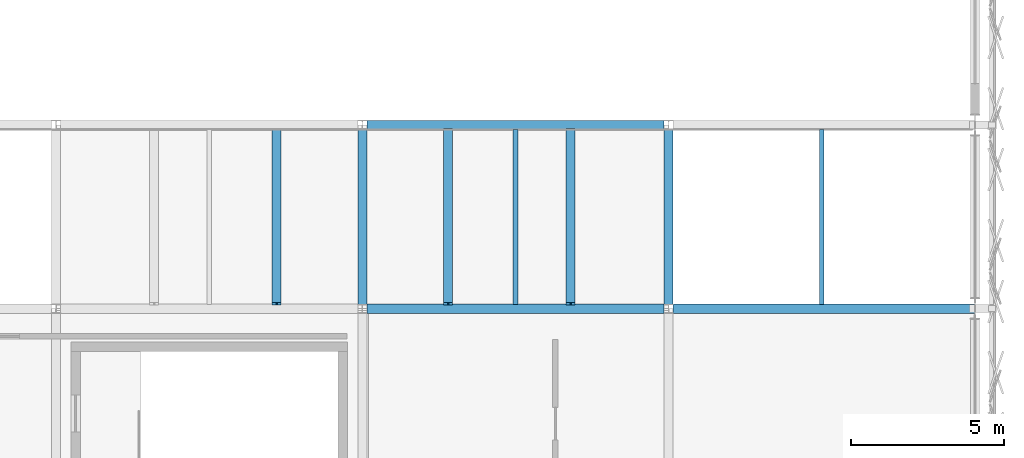
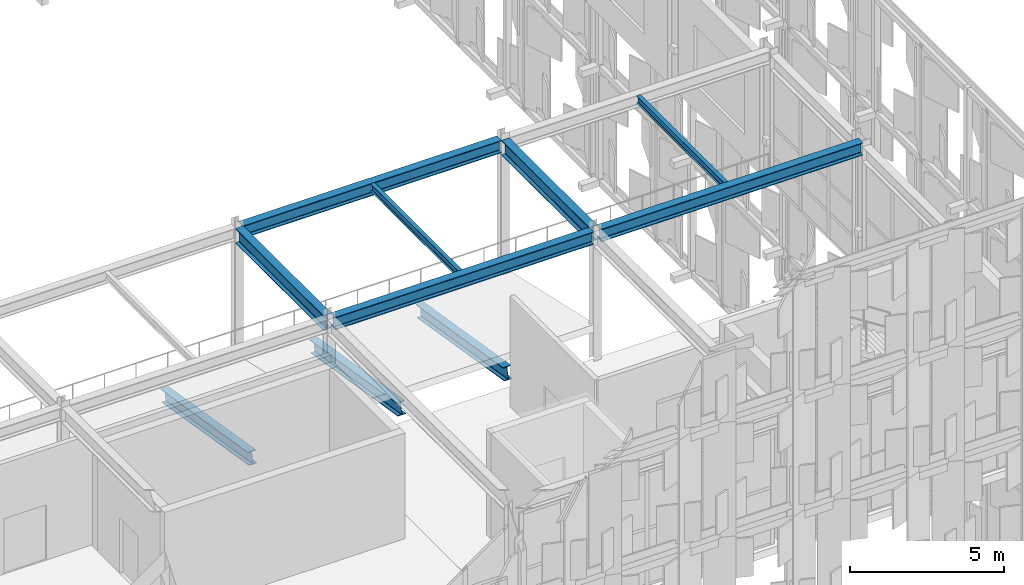
# One storey, part 164 of 239: 10 beams.
"""IFC4 building model written with IfcOpenShell, lengths in metres."""

from ifc_helpers import new_model, si_unit, direction, frame, origin, origin_2d, place, context, subcontext, project, spatial, i_section, extrude, material, material_profile, profile_set, type_object, element, save


model = new_model("IFC4")

# Units and contexts
model_context = context("Model", 3, precision=1e-05, world=origin(), true_north=direction((0.0, 1.0)))
body_context = subcontext(model_context, "Body", "Model", "MODEL_VIEW")
ifc_project = project(units=[si_unit("LENGTHUNIT", "METRE"), si_unit("AREAUNIT", "SQUARE_METRE"), si_unit("VOLUMEUNIT", "CUBIC_METRE"), si_unit("PLANEANGLEUNIT", "RADIAN"), si_unit("MASSUNIT", "GRAM", prefix="KILO")], contexts=[model_context])

# Site, building, storey
site_placement = place(None, origin())
site = spatial("IfcSite", under=ifc_project, at=site_placement, CompositionType="ELEMENT")
building_placement = place(site_placement, origin())
building = spatial("IfcBuilding", under=site, at=building_placement, Name="Kaldris Quays Convention Centre", CompositionType="ELEMENT")
storey_placement = place(building_placement, frame((0.0, 0.0, 11.39990234375)))
storey = spatial("IfcBuildingStorey", under=building, at=storey_placement, Name="L02", CompositionType="ELEMENT", Elevation=11.39990234375)

# Beams
ifc_material = material(Name="Steel S355J2", Category="steel")
ifc_material_profile_1 = material_profile(ifc_material, i_section(OverallWidth=0.300048828125, OverallDepth=0.5, WebThickness=0.014404296875, FlangeThickness=0.028076171875, FilletRadius=0.027099609375, at=origin_2d()), Name="HEB 500")
ifc_profile_set_1 = profile_set([ifc_material_profile_1], Name="Steel S355J2")
beam_type_1 = type_object("IfcBeamType", Name="STRUCTURAL BEAM BM06", PredefinedType="BEAM", material=ifc_profile_set_1)
beam_1_placement = place(storey_placement, frame((184.14404296875, 68.0, 4.9130859375), z_axis=(1.0, 0.0, 0.0), x_axis=(0.0, 1.0, 0.0)))
element("IfcBeam", 1, at=beam_1_placement, inside=storey, type_object=beam_type_1, Name="L02 Girder BM06 7", PredefinedType="BEAM", context=body_context, shape_type="SweptSolid", body=[
    extrude(i_section(OverallWidth=0.300048828125, OverallDepth=0.5, WebThickness=0.014404296875, FlangeThickness=0.028076171875, FilletRadius=0.027099609375, at=origin_2d()), origin(), (0.0, 0.0, 1.0), 9.7119140625),
])
beam_2_placement = place(storey_placement, frame((194.14404296875, 68.0, 4.9130859375), z_axis=(1.0, 0.0, 0.0), x_axis=(0.0, 1.0, 0.0)))
element("IfcBeam", 2, at=beam_2_placement, inside=storey, type_object=beam_type_1, Name="L02 Girder BM06 8", PredefinedType="BEAM", context=body_context, shape_type="SweptSolid", body=[
    extrude(i_section(OverallWidth=0.300048828125, OverallDepth=0.5, WebThickness=0.014404296875, FlangeThickness=0.028076171875, FilletRadius=0.027099609375, at=origin_2d()), origin(), (0.0, 0.0, 1.0), 9.853515625),
])
beam_3_placement = place(storey_placement, frame((184.14404296875, 74.0, 4.9130859375), z_axis=(1.0, 0.0, 0.0), x_axis=(0.0, 1.0, 0.0)))
element("IfcBeam", 3, at=beam_3_placement, inside=storey, type_object=beam_type_1, Name="L02 Girder BM06 11", PredefinedType="BEAM", context=body_context, shape_type="SweptSolid", body=[
    extrude(i_section(OverallWidth=0.300048828125, OverallDepth=0.5, WebThickness=0.014404296875, FlangeThickness=0.028076171875, FilletRadius=0.027099609375, at=origin_2d()), origin(), (0.0, 0.0, 1.0), 9.7119140625),
])
ifc_material_profile_2 = material_profile(ifc_material, i_section(OverallWidth=0.300048828125, OverallDepth=0.590087890625, WebThickness=0.012939453125, FlangeThickness=0.02490234375, FilletRadius=0.027099609375, at=origin_2d()), Name="HEA 600")
ifc_profile_set_2 = profile_set([ifc_material_profile_2], Name="Steel S355J2")
beam_type_2 = type_object("IfcBeamType", Name="STRUCTURAL BEAM BM08", PredefinedType="BEAM", material=ifc_profile_set_2)
for number, where, z_axis, x_axis, name in (
    (4, (184.0, 68.138916015625, 4.8681640625), (0.0, 1.0, 0.0), (-1.0, 0.0, 0.0), "L02 Girder BM08 19"),
    (5, (194.0, 68.138916015625, 4.8681640625), (0.0, 1.0, 0.0), (-1.0, 0.0, 0.0), "L02 Girder BM08 21"),
):
    element("IfcBeam", number, at=place(storey_placement, frame(where, z_axis=z_axis, x_axis=x_axis)), inside=storey, type_object=beam_type_2, Name=name, PredefinedType="BEAM", context=body_context, shape_type="SweptSolid", body=[
        extrude(i_section(OverallWidth=0.300048828125, OverallDepth=0.590087890625, WebThickness=0.012939453125, FlangeThickness=0.02490234375, FilletRadius=0.027099609375, at=origin_2d()), origin(), (0.0, 0.0, 1.0), 5.72216796875),
    ])
ifc_material_profile_3 = material_profile(ifc_material, i_section(OverallWidth=0.14990234375, OverallDepth=0.300048828125, WebThickness=0.007080078125, FlangeThickness=0.0107421875, FilletRadius=0.014892578125, at=origin_2d()), Name="IPE 300")
ifc_profile_set_3 = profile_set([ifc_material_profile_3], Name="Steel S355J2")
beam_type_3 = type_object("IfcBeamType", Name="STRUCTURAL BEAM JT04", PredefinedType="JOIST", material=ifc_profile_set_3)
for number, where, z_axis, x_axis, name in (
    (6, (189.0, 68.14404296875, 5.01318359375), (0.0, 1.0, 0.0), (-1.0, 0.0, 0.0), "L02 Secondary Joist JT04 3"),
    (7, (199.0, 68.14404296875, 5.01318359375), (0.0, 1.0, 0.0), (-1.0, 0.0, 0.0), "L02 Secondary Joist JT04 4"),
):
    element("IfcBeam", number, at=place(storey_placement, frame(where, z_axis=z_axis, x_axis=x_axis)), inside=storey, type_object=beam_type_3, Name=name, PredefinedType="JOIST", context=body_context, shape_type="SweptSolid", body=[
        extrude(i_section(OverallWidth=0.14990234375, OverallDepth=0.300048828125, WebThickness=0.007080078125, FlangeThickness=0.0107421875, FilletRadius=0.014892578125, at=origin_2d()), origin(), (0.0, 0.0, 1.0), 5.7119140625),
    ])
ifc_material_profile_4 = material_profile(ifc_material, i_section(OverallWidth=0.300048828125, OverallDepth=0.5, WebThickness=0.014404296875, FlangeThickness=0.028076171875, FilletRadius=0.027099609375, at=origin_2d()), Name="HEB 500")
ifc_profile_set_4 = profile_set([ifc_material_profile_4], Name="Steel S355J2")
beam_type_4 = type_object("IfcBeamType", Name="STRUCTURAL BEAM RK01", PredefinedType="BEAM", material=ifc_profile_set_4)
for number, where, z_axis, x_axis, name in (
    (8, (181.199951171875, 68.159912109375, 0.43017578125), (0.0, 0.986855402616, -0.161605737298), (-1.0, 0.0, 0.0), "L02 Plenary Upper RAKER Beam 2"),
    (9, (186.800048828125, 68.159912109375, 0.43017578125), (0.0, 0.986855402616, -0.161605737298), (-1.0, 0.0, 0.0), "L02 Plenary Upper RAKER Beam 3"),
    (10, (190.800048828125, 68.159912109375, 0.43017578125), (0.0, 0.986855402616, -0.161605737298), (-1.0, 0.0, 0.0), "L02 Plenary Upper RAKER Beam 4"),
):
    element("IfcBeam", number, at=place(storey_placement, frame(where, z_axis=z_axis, x_axis=x_axis)), inside=storey, type_object=beam_type_4, Name=name, PredefinedType="BEAM", context=body_context, shape_type="SweptSolid", body=[
        extrude(i_section(OverallWidth=0.300048828125, OverallDepth=0.5, WebThickness=0.014404296875, FlangeThickness=0.028076171875, FilletRadius=0.027099609375, at=origin_2d()), origin(), (0.0, 0.0, 1.0), 5.755859375),
    ])

save(model, "model.ifc")
